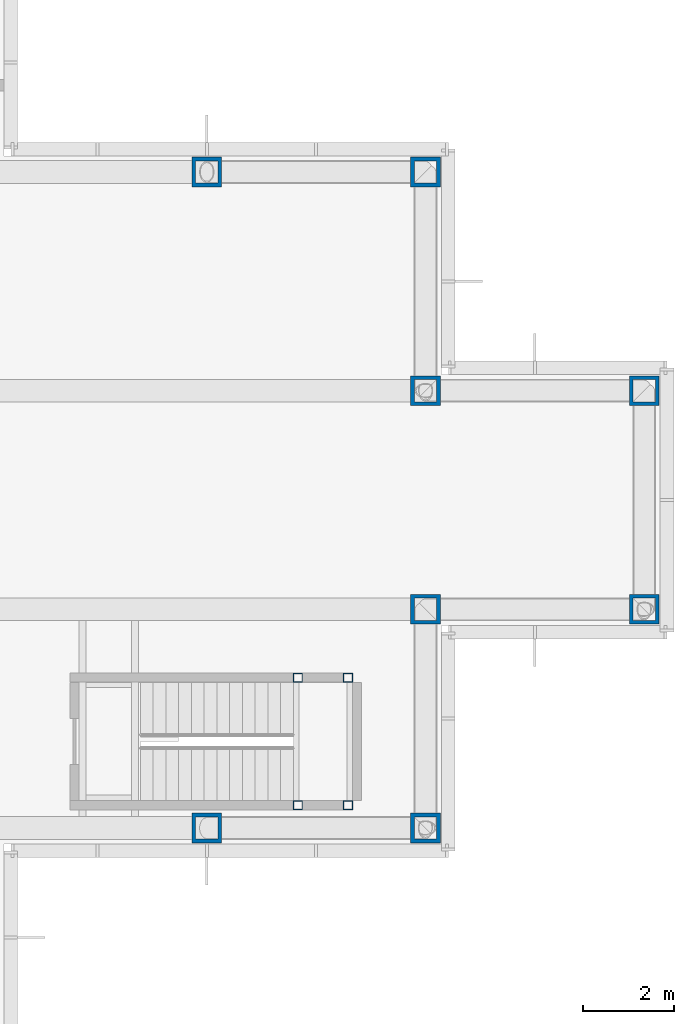
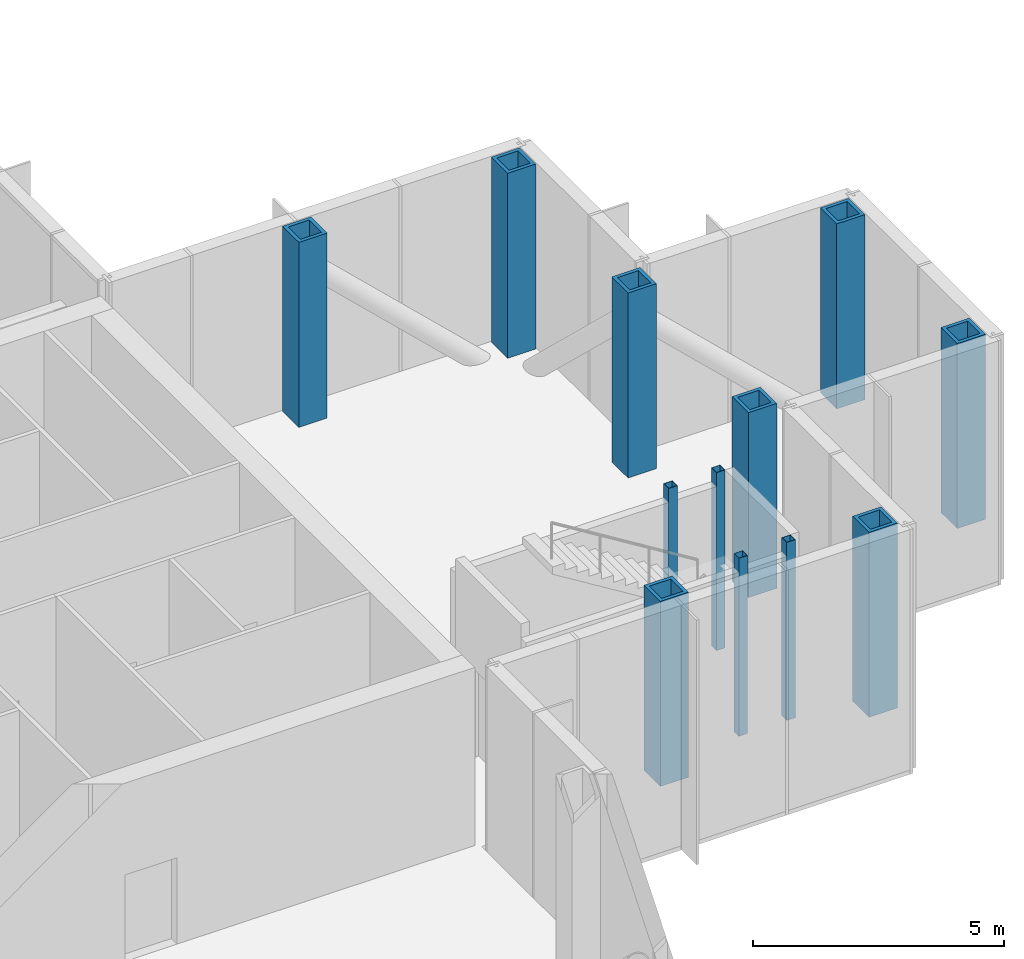
# One storey, part 4 of 13: 12 columns.
"""IFC4 building model written with IfcOpenShell, lengths in metres."""

import ifcopenshell
import ifcopenshell.guid

model = None  # the IFC model being written
_history = None  # IfcOwnerHistory: only IFC2X3 demands one
_inside = {}  # id of a spatial element -> (the spatial element, [elements in it])
_under = {}  # id of a project, library or spatial element -> (it, [spatial elements below it])
_declared = {}  # id of a project -> (the project, [libraries it declares])
_typed = {}  # id of a type object -> (the type object, [elements of that type])
_made_of = {}  # id of a material, layer set ... -> (it, [elements and type objects made of it])


def new_model(schema):
    """Start an empty IFC model of exactly this schema.

    Asked for "IFC4X3", IfcOpenShell would pick the latest addendum, in which some entities
    have other attributes; the version numbers below select the first issue.
    IFC2X3 requires an IfcOwnerHistory on every rooted entity: one is made here for all.
    """
    global model, _history
    if schema == "IFC4X3":
        model = ifcopenshell.file(schema_version=(4, 3, 0, 0))
    else:
        model = ifcopenshell.file(schema=schema)
    _inside.clear()
    _under.clear()
    _declared.clear()
    _typed.clear()
    _made_of.clear()
    _history = None
    if model.schema == "IFC2X3":
        org = make("IfcOrganization", Name="unknown")
        user = make(
            "IfcPersonAndOrganization",
            ThePerson=make("IfcPerson", FamilyName="unknown"),
            TheOrganization=org,
        )
        app = make(
            "IfcApplication",
            ApplicationDeveloper=org,
            Version="unknown",
            ApplicationFullName="unknown",
            ApplicationIdentifier="unknown",
        )
        _history = make(
            "IfcOwnerHistory",
            OwningUser=user,
            OwningApplication=app,
            ChangeAction="ADDED",
            CreationDate=0,
        )
    return model


def make(cls, **values):
    """One entity of the class cls with the attributes given. An attribute that is None is left unset."""
    return model.create_entity(
        cls, **{name: value for name, value in values.items() if value is not None}
    )


def rooted(cls, **values):
    """An entity with a GlobalId (a new one), such as an element, a storey or a relation."""
    return make(cls, GlobalId=ifcopenshell.guid.new(), OwnerHistory=_history, **values)


def si_unit(unit_type, name, prefix=None):
    """IfcSIUnit, for example si_unit("LENGTHUNIT", "METRE", prefix="MILLI")."""
    return make("IfcSIUnit", UnitType=unit_type, Prefix=prefix, Name=name)


def assignment(units):
    """IfcUnitAssignment: the units of a project."""
    return None if units is None else make("IfcUnitAssignment", Units=units)


def point(xyz):
    """IfcCartesianPoint."""
    return None if xyz is None else make("IfcCartesianPoint", Coordinates=xyz)


def direction(xyz):
    """IfcDirection."""
    return None if xyz is None else make("IfcDirection", DirectionRatios=xyz)


def frame(location, z_axis=None, x_axis=None):
    """IfcAxis2Placement3D, a coordinate frame: its origin and axes. An axis left out is left unset."""
    return make(
        "IfcAxis2Placement3D",
        Location=point(location),
        Axis=direction(z_axis),
        RefDirection=direction(x_axis),
    )


def frame_2d(location, x_axis=None):
    """IfcAxis2Placement2D, a coordinate frame in the plane: its origin and x axis."""
    return make(
        "IfcAxis2Placement2D", Location=point(location), RefDirection=direction(x_axis)
    )


def origin():
    """The frame at (0, 0, 0) with its axes left unset."""
    return frame((0.0, 0.0, 0.0))


def origin_2d():
    """The frame at (0, 0) in the plane with its x axis left unset."""
    return frame_2d((0.0, 0.0))


def place(relative_to, where):
    """IfcLocalPlacement: puts the frame where relative to a parent placement (None: the world)."""
    return make(
        "IfcLocalPlacement", PlacementRelTo=relative_to, RelativePlacement=where
    )


def context(
    kind, dimensions, precision=None, world=None, true_north=None, identifier=None
):
    """IfcGeometricRepresentationContext, for example the 3D "Model" context."""
    return make(
        "IfcGeometricRepresentationContext",
        ContextIdentifier=identifier,
        ContextType=kind,
        CoordinateSpaceDimension=dimensions,
        Precision=precision,
        WorldCoordinateSystem=world,
        TrueNorth=true_north,
    )


def subcontext(parent, identifier, kind, view, scale=None):
    """IfcGeometricRepresentationSubContext, for example "Body" below "Model"."""
    return make(
        "IfcGeometricRepresentationSubContext",
        ContextIdentifier=identifier,
        ContextType=kind,
        ParentContext=parent,
        TargetScale=scale,
        TargetView=view,
    )


def project(units=None, contexts=None):
    """IfcProject with its units and contexts."""
    return rooted(
        "IfcProject",
        Name="project",
        RepresentationContexts=contexts,
        UnitsInContext=assignment(units),
    )


def spatial(cls, under=None, at=None, **own):
    """A site, building, storey or space (cls), placed at a placement, below another one or the project."""
    s = rooted(cls, ObjectPlacement=at, **own)
    if under is not None:
        _under.setdefault(under.id(), (under, []))[1].append(s)
    return s


def profile(cls, at=None, kind="AREA", **sizes):
    """A parametric profile (cls). Its sizes go by their IFC names, for example OverallWidth=200.0."""
    return make(cls, ProfileType=kind, Position=at, **sizes)


def hollow_rectangle(**sizes):
    """IfcRectangleHollowProfileDef."""
    return profile("IfcRectangleHollowProfileDef", **sizes)


def extrude(swept, where, along, depth):
    """IfcExtrudedAreaSolid: the profile swept, set in the frame where, extruded along a direction by depth."""
    return make(
        "IfcExtrudedAreaSolid",
        SweptArea=swept,
        Position=where,
        ExtrudedDirection=direction(along),
        Depth=depth,
    )


def shape(context_of_items, identifier, shape_type, items):
    """IfcShapeRepresentation: the items that make up one representation, for example the "Body"."""
    return make(
        "IfcShapeRepresentation",
        ContextOfItems=context_of_items,
        RepresentationIdentifier=identifier,
        RepresentationType=shape_type,
        Items=items,
    )


def material(Name=None, Category=None):
    """IfcMaterial."""
    return make("IfcMaterial", Name=Name, Category=Category)


def material_profile(
    of_material, cross_section, Name=None, Category=None, Priority=None
):
    """IfcMaterialProfile: a cross section and its material."""
    return make(
        "IfcMaterialProfile",
        Name=Name,
        Material=of_material,
        Profile=cross_section,
        Priority=Priority,
        Category=Category,
    )


def profile_set(profiles, Name=None, composite=None):
    """IfcMaterialProfileSet."""
    return make(
        "IfcMaterialProfileSet",
        Name=Name,
        MaterialProfiles=profiles,
        CompositeProfile=composite,
    )


def made_of(thing, what):
    """Note that an element or type object is made of a material, layer set ...; save() writes the relation."""
    if what is not None:
        _made_of.setdefault(what.id(), (what, []))[1].append(thing)
    return thing


def type_object(cls, material=None, **own):
    """A type object (cls), such as IfcWallType, which elements share."""
    return made_of(rooted(cls, **own), material)


def element(
    cls,
    number,
    at=None,
    inside=None,
    cuts=None,
    type_object=None,
    material=None,
    context=None,
    identifier="Body",
    shape_type=None,
    held_by="IfcProductDefinitionShape",
    body=None,
    shapes=None,
    **own,
):
    """One element of the class cls, such as IfcWall. Its Tag is "e" and its number.

    at: its placement. inside: the storey or other place that contains it. cuts: it is an
    opening in that element (IfcRelVoidsElement). A single representation is given by context,
    identifier, shape_type and body (its items); several are given by shapes. held_by: the class
    of the entity that holds the representations. save() writes the other relations.
    """
    e = rooted(cls, Tag="e%d" % number, ObjectPlacement=at, **own)
    if body is not None:
        shapes = [shape(context, identifier, shape_type, body)]
    if shapes is not None:
        e.Representation = make(held_by, Representations=shapes)
    if inside is not None:
        _inside.setdefault(inside.id(), (inside, []))[1].append(e)
    if cuts is not None:
        rooted(
            "IfcRelVoidsElement", RelatingBuildingElement=cuts, RelatedOpeningElement=e
        )
    if type_object is not None:
        _typed.setdefault(type_object.id(), (type_object, []))[1].append(e)
    return made_of(e, material)


def aggregate(whole, parts):
    """IfcRelAggregates: a whole, such as a stair, and the parts it consists of."""
    return rooted("IfcRelAggregates", RelatingObject=whole, RelatedObjects=parts)


def save(model, path):
    """Write the relations noted so far, then the file.

    IfcRelAggregates (storeys below a building ...), IfcRelContainedInSpatialStructure (elements
    in a storey), IfcRelDefinesByType, IfcRelAssociatesMaterial and IfcRelDeclares: one each for
    every whole, place, type object, material and project.
    """
    for whole, parts in _under.values():
        aggregate(whole, parts)
    for where, things in _inside.values():
        rooted(
            "IfcRelContainedInSpatialStructure",
            RelatedElements=things,
            RelatingStructure=where,
        )
    for kind, things in _typed.values():
        rooted("IfcRelDefinesByType", RelatedObjects=things, RelatingType=kind)
    for what, things in _made_of.values():
        rooted("IfcRelAssociatesMaterial", RelatedObjects=things, RelatingMaterial=what)
    for by, libraries in _declared.values():
        rooted("IfcRelDeclares", RelatingContext=by, RelatedDefinitions=libraries)
    model.write(path)


model = new_model("IFC4")

# Units and contexts
model_context = context("Model", 3, precision=1e-05, world=origin(), true_north=direction((0.0, 1.0)))
body_context = subcontext(model_context, "Body", "Model", "MODEL_VIEW")
ifc_project = project(units=[si_unit("LENGTHUNIT", "METRE"), si_unit("AREAUNIT", "SQUARE_METRE"), si_unit("VOLUMEUNIT", "CUBIC_METRE"), si_unit("PLANEANGLEUNIT", "RADIAN"), si_unit("MASSUNIT", "GRAM", prefix="KILO")], contexts=[model_context])

# Site, building, storey
site_placement = place(None, origin())
site = spatial("IfcSite", under=ifc_project, at=site_placement, CompositionType="ELEMENT")
building_placement = place(site_placement, origin())
building = spatial("IfcBuilding", under=site, at=building_placement, Name="Kvirike Care Tower", CompositionType="ELEMENT")
storey_placement = place(building_placement, frame((0.0, 0.0, 190.0)))
storey = spatial("IfcBuildingStorey", under=building, at=storey_placement, Name="L52", CompositionType="ELEMENT", Elevation=190.0)

# Columns
ifc_material_1 = material(Name="Steel S460", Category="steel")
ifc_material_profile_1 = material_profile(ifc_material_1, hollow_rectangle(XDim=0.64990234375, YDim=0.64990234375, WallThickness=0.080078125, at=origin_2d()), Name="BX 650x650x80")
ifc_profile_set_1 = profile_set([ifc_material_profile_1], Name="Steel S460")
column_type_1 = type_object("IfcColumnType", Name="COLUMN BX 650x650x80", PredefinedType="COLUMN", material=ifc_profile_set_1)
for number, where, z_axis, x_axis, name in (
    (1, (33.60009765625, 28.800048828125, 0.0), (0.0, 0.0, 1.0), (0.0, 1.0, 0.0), "Column G10 L52"),
    (2, (33.60009765625, 43.199951171875, 0.0), (0.0, 0.0, 1.0), (0.0, 1.0, 0.0), "Column K10 L52"),
    (3, (38.39990234375, 28.800048828125, 0.0), (0.0, 0.0, 1.0), (0.0, 1.0, 0.0), "Column G11 L52"),
    (4, (38.39990234375, 33.60009765625, 0.0), (0.0, 0.0, 1.0), (0.0, 1.0, 0.0), "Column H11 L52"),
    (5, (38.39990234375, 38.39990234375, 0.0), (0.0, 0.0, 1.0), (0.0, 1.0, 0.0), "Column J11 L52"),
    (6, (38.39990234375, 43.199951171875, 0.0), (0.0, 0.0, 1.0), (0.0, 1.0, 0.0), "Column K11 L52"),
    (7, (43.199951171875, 33.60009765625, 0.0), (0.0, 0.0, 1.0), (0.0, 1.0, 0.0), "Column H12 L52"),
    (8, (43.199951171875, 38.39990234375, 0.0), (0.0, 0.0, 1.0), (0.0, 1.0, 0.0), "Column J12 L52"),
):
    element("IfcColumn", number, at=place(storey_placement, frame(where, z_axis=z_axis, x_axis=x_axis)), inside=storey, type_object=column_type_1, Name=name, PredefinedType="COLUMN", context=body_context, shape_type="SweptSolid", body=[
        extrude(hollow_rectangle(XDim=0.64990234375, YDim=0.64990234375, WallThickness=0.080078125, at=origin_2d()), origin(), (0.0, 0.0, 1.0), 4.5),
    ])
ifc_material_2 = material(Name="Steel S460", Category="steel")
ifc_material_profile_2 = material_profile(ifc_material_2, hollow_rectangle(XDim=0.199951171875, YDim=0.199951171875, WallThickness=0.008056640625, at=origin_2d()), Name="SHS 200x200x8")
ifc_profile_set_2 = profile_set([ifc_material_profile_2], Name="Steel S460")
column_type_2 = type_object("IfcColumnType", Name="STAIR POST SHS 200x200x8", PredefinedType="COLUMN", material=ifc_profile_set_2)
for number, where, z_axis, x_axis, name in (
    (9, (36.699951171875, 29.300048828125, 0.0), (0.0, 0.0, 1.0), (1.0, 0.0, 0.0), "Stair 2 post 1 L52"),
    (10, (36.699951171875, 32.10009765625, 0.0), (0.0, 0.0, 1.0), (1.0, 0.0, 0.0), "Stair 2 post 2 L52"),
    (11, (35.60009765625, 29.300048828125, 0.0), (0.0, 0.0, 1.0), (1.0, 0.0, 0.0), "Stair 2 post 3 L52"),
    (12, (35.60009765625, 32.10009765625, 0.0), (0.0, 0.0, 1.0), (1.0, 0.0, 0.0), "Stair 2 post 4 L52"),
):
    element("IfcColumn", number, at=place(storey_placement, frame(where, z_axis=z_axis, x_axis=x_axis)), inside=storey, type_object=column_type_2, Name=name, PredefinedType="COLUMN", context=body_context, shape_type="SweptSolid", body=[
        extrude(hollow_rectangle(XDim=0.199951171875, YDim=0.199951171875, WallThickness=0.008056640625, at=origin_2d()), origin(), (0.0, 0.0, 1.0), 4.330078125),
    ])

save(model, "model.ifc")
